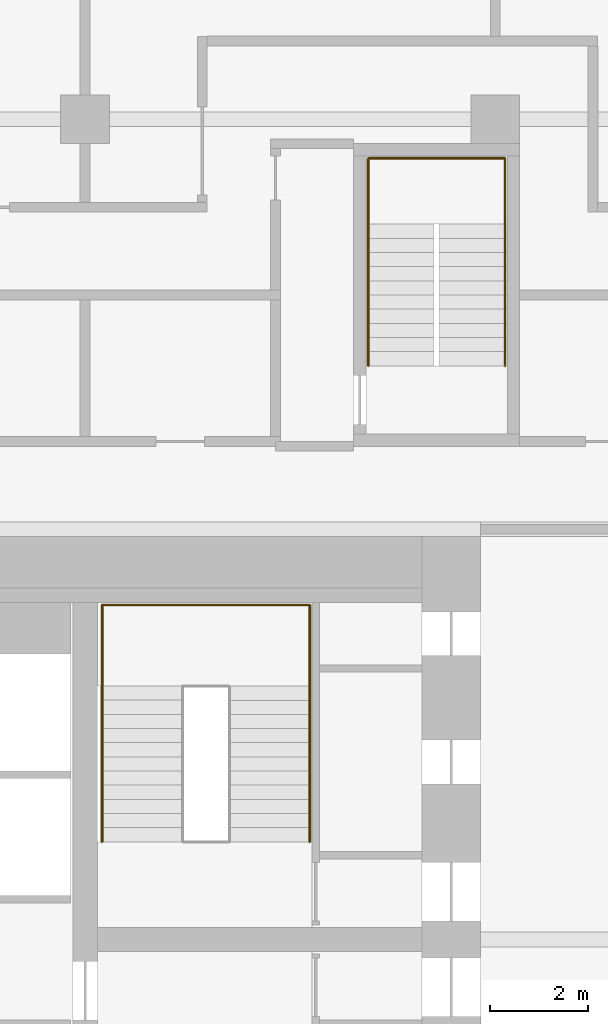
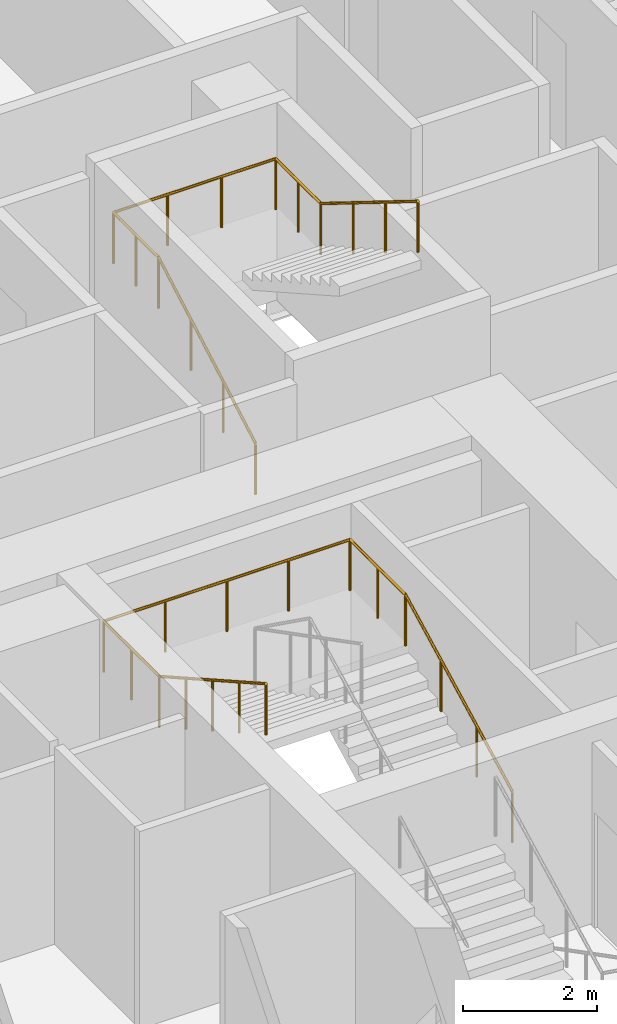
# One storey, part 38 of 38: 2 railings.
"""IFC4 building model written with IfcOpenShell, lengths in metres."""

from ifc_helpers import new_model, si_unit, direction, frame, origin, origin_2d, place, context, subcontext, project, spatial, circle, extrude, material, type_object, element, save


model = new_model("IFC4")

# Units and contexts
model_context = context("Model", 3, precision=1e-05, world=origin(), true_north=direction((0.0, 1.0)))
body_context = subcontext(model_context, "Body", "Model", "MODEL_VIEW")
ifc_project = project(units=[si_unit("LENGTHUNIT", "METRE"), si_unit("AREAUNIT", "SQUARE_METRE"), si_unit("VOLUMEUNIT", "CUBIC_METRE"), si_unit("PLANEANGLEUNIT", "RADIAN"), si_unit("MASSUNIT", "GRAM", prefix="KILO")], contexts=[model_context])

# Site, building, storey
site_placement = place(None, origin())
site = spatial("IfcSite", under=ifc_project, at=site_placement, CompositionType="ELEMENT")
building_placement = place(site_placement, origin())
building = spatial("IfcBuilding", under=site, at=building_placement, Name="Marenta Gate Hotel Tower", CompositionType="ELEMENT")
storey_placement = place(building_placement, frame((0.0, 0.0, 40.10009765625)))
storey = spatial("IfcBuildingStorey", under=building, at=storey_placement, Name="L07", CompositionType="ELEMENT", Elevation=40.10009765625)

# Railings
ifc_material = material(Name="Stainless steel", Category="steel")
railing_type = type_object("IfcRailingType", Name="Core stair handrail 950", PredefinedType="HANDRAIL", material=ifc_material)
railing_1_placement = place(storey_placement, frame((8.800048828125, 10.39990234375, 0.14990234375)))
element("IfcRailing", 1, at=railing_1_placement, inside=storey, type_object=railing_type, Name="HR-950 L07-KR-ST4-1", PredefinedType="HANDRAIL", context=body_context, shape_type="SweptSolid", body=[
    extrude(circle(Radius=0.02392578125, at=origin_2d()), frame((0.0, 0.0, 0.92578125), z_axis=(0.0, 0.888239641807, 0.459380385653), x_axis=(-1.0, 0.0, 0.0)), (0.0, 0.0, 1.0), 3.591552734375),
    extrude(circle(Radius=0.02392578125, at=origin_2d()), frame((0.0, 3.190185546875, 2.57568359375), z_axis=(0.0, 1.0, 0.0), x_axis=(-1.0, 0.0, 0.0)), (0.0, 0.0, 1.0), 1.659912109375),
    extrude(circle(Radius=0.02392578125, at=origin_2d()), frame((0.0, 4.85009765625, 2.57568359375), z_axis=(-1.0, 0.0, 0.0), x_axis=(0.0, -1.0, 0.0)), (0.0, 0.0, 1.0), 4.25),
    extrude(circle(Radius=0.02392578125, at=origin_2d()), frame((-4.25, 4.85009765625, 2.57568359375), z_axis=(0.0, -1.0, 0.0), x_axis=(1.0, 0.0, 0.0)), (0.0, 0.0, 1.0), 1.659912109375),
    extrude(circle(Radius=0.02392578125, at=origin_2d()), frame((-4.25, 3.190185546875, 2.57568359375), z_axis=(0.0, -0.870925075533, 0.491415824742), x_axis=(1.0, 0.0, 0.0)), (0.0, 0.0, 1.0), 3.6630859375),
    extrude(circle(Radius=0.02099609375, at=origin_2d()), origin(), (0.0, 0.0, 1.0), 0.90185546875),
    extrude(circle(Radius=0.02099609375, at=origin_2d()), frame((0.0, 1.0634765625, 0.550048828125)), (0.0, 0.0, 1.0), 0.90185546875),
    extrude(circle(Radius=0.02099609375, at=origin_2d()), frame((0.0, 2.126708984375, 1.099853515625)), (0.0, 0.0, 1.0), 0.90185546875),
    extrude(circle(Radius=0.02099609375, at=origin_2d()), frame((0.0, 3.190185546875, 1.64990234375)), (0.0, 0.0, 1.0), 0.90185546875),
    extrude(circle(Radius=0.02099609375, at=origin_2d()), frame((0.0, 4.02001953125, 1.64990234375)), (0.0, 0.0, 1.0), 0.90185546875),
    extrude(circle(Radius=0.02099609375, at=origin_2d()), frame((0.0, 4.85009765625, 1.64990234375)), (0.0, 0.0, 1.0), 0.90185546875),
    extrude(circle(Radius=0.02099609375, at=origin_2d()), frame((-1.0625, 4.85009765625, 1.64990234375)), (0.0, 0.0, 1.0), 0.90185546875),
    extrude(circle(Radius=0.02099609375, at=origin_2d()), frame((-2.125, 4.85009765625, 1.64990234375)), (0.0, 0.0, 1.0), 0.90185546875),
    extrude(circle(Radius=0.02099609375, at=origin_2d()), frame((-3.1875, 4.85009765625, 1.64990234375)), (0.0, 0.0, 1.0), 0.90185546875),
    extrude(circle(Radius=0.02099609375, at=origin_2d()), frame((-4.25, 4.85009765625, 1.64990234375)), (0.0, 0.0, 1.0), 0.90185546875),
    extrude(circle(Radius=0.02099609375, at=origin_2d()), frame((-4.25, 4.02001953125, 1.64990234375)), (0.0, 0.0, 1.0), 0.90185546875),
    extrude(circle(Radius=0.02099609375, at=origin_2d()), frame((-4.25, 3.190185546875, 1.64990234375)), (0.0, 0.0, 1.0), 0.90185546875),
    extrude(circle(Radius=0.02099609375, at=origin_2d()), frame((-4.25, 2.392578125, 2.099853515625)), (0.0, 0.0, 1.0), 0.90185546875),
    extrude(circle(Radius=0.02099609375, at=origin_2d()), frame((-4.25, 1.59521484375, 2.5498046875)), (0.0, 0.0, 1.0), 0.90185546875),
    extrude(circle(Radius=0.02099609375, at=origin_2d()), frame((-4.25, 0.797607421875, 3.0)), (0.0, 0.0, 1.0), 0.90185546875),
    extrude(circle(Radius=0.02099609375, at=origin_2d()), frame((-4.25, 0.0, 3.449951171875)), (0.0, 0.0, 1.0), 0.90185546875),
])
railing_2_placement = place(storey_placement, frame((10.0, 20.14990234375, 0.16357421875)))
element("IfcRailing", 2, at=railing_2_placement, inside=storey, type_object=railing_type, Name="HR-950 L07-RS-Z1-4-KR-1", PredefinedType="HANDRAIL", context=body_context, shape_type="SweptSolid", body=[
    extrude(circle(Radius=0.02392578125, at=origin_2d()), frame((0.0, 0.0, 0.92578125), z_axis=(0.0, 0.870946286338, 0.49137823142), x_axis=(-1.0, 0.0, 0.0)), (0.0, 0.0, 1.0), 3.329833984375),
    extrude(circle(Radius=0.02392578125, at=origin_2d()), frame((0.0, 2.900146484375, 2.56201171875), z_axis=(0.0, 1.0, 0.0), x_axis=(-1.0, 0.0, 0.0)), (0.0, 0.0, 1.0), 1.349853515625),
    extrude(circle(Radius=0.02392578125, at=origin_2d()), frame((0.0, 4.25, 2.56201171875), z_axis=(1.0, 0.0, 0.0), x_axis=(0.0, 1.0, 0.0)), (0.0, 0.0, 1.0), 2.800048828125),
    extrude(circle(Radius=0.02392578125, at=origin_2d()), frame((2.800048828125, 4.25, 2.56201171875), z_axis=(0.0, -1.0, 0.0), x_axis=(1.0, 0.0, 0.0)), (0.0, 0.0, 1.0), 1.349853515625),
    extrude(circle(Radius=0.02392578125, at=origin_2d()), frame((2.800048828125, 2.900146484375, 2.56201171875), z_axis=(0.0, -0.849645691689, 0.527353959494), x_axis=(1.0, 0.0, 0.0)), (0.0, 0.0, 1.0), 3.413330078125),
    extrude(circle(Radius=0.02099609375, at=origin_2d()), origin(), (0.0, 0.0, 1.0), 0.90185546875),
    extrude(circle(Radius=0.02099609375, at=origin_2d()), frame((0.0, 0.966796875, 0.54541015625)), (0.0, 0.0, 1.0), 0.90185546875),
    extrude(circle(Radius=0.02099609375, at=origin_2d()), frame((0.0, 1.933349609375, 1.0908203125)), (0.0, 0.0, 1.0), 0.90185546875),
    extrude(circle(Radius=0.02099609375, at=origin_2d()), frame((0.0, 2.900146484375, 1.63623046875)), (0.0, 0.0, 1.0), 0.90185546875),
    extrude(circle(Radius=0.02099609375, at=origin_2d()), frame((0.0, 3.5751953125, 1.63623046875)), (0.0, 0.0, 1.0), 0.90185546875),
    extrude(circle(Radius=0.02099609375, at=origin_2d()), frame((0.0, 4.25, 1.63623046875)), (0.0, 0.0, 1.0), 0.90185546875),
    extrude(circle(Radius=0.02099609375, at=origin_2d()), frame((0.933349609375, 4.25, 1.63623046875)), (0.0, 0.0, 1.0), 0.90185546875),
    extrude(circle(Radius=0.02099609375, at=origin_2d()), frame((1.86669921875, 4.25, 1.63623046875)), (0.0, 0.0, 1.0), 0.90185546875),
    extrude(circle(Radius=0.02099609375, at=origin_2d()), frame((2.800048828125, 4.25, 1.63623046875)), (0.0, 0.0, 1.0), 0.90185546875),
    extrude(circle(Radius=0.02099609375, at=origin_2d()), frame((2.800048828125, 3.5751953125, 1.63623046875)), (0.0, 0.0, 1.0), 0.90185546875),
    extrude(circle(Radius=0.02099609375, at=origin_2d()), frame((2.800048828125, 2.900146484375, 1.63623046875)), (0.0, 0.0, 1.0), 0.90185546875),
    extrude(circle(Radius=0.02099609375, at=origin_2d()), frame((2.800048828125, 1.933349609375, 2.236328125)), (0.0, 0.0, 1.0), 0.90185546875),
    extrude(circle(Radius=0.02099609375, at=origin_2d()), frame((2.800048828125, 0.966796875, 2.836181640625)), (0.0, 0.0, 1.0), 0.90185546875),
    extrude(circle(Radius=0.02099609375, at=origin_2d()), frame((2.800048828125, 0.0, 3.436279296875)), (0.0, 0.0, 1.0), 0.90185546875),
])

save(model, "model.ifc")
